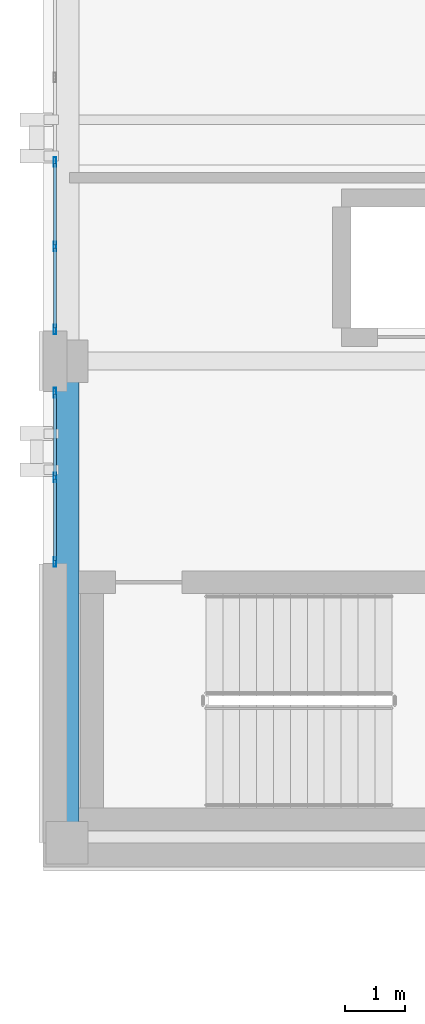
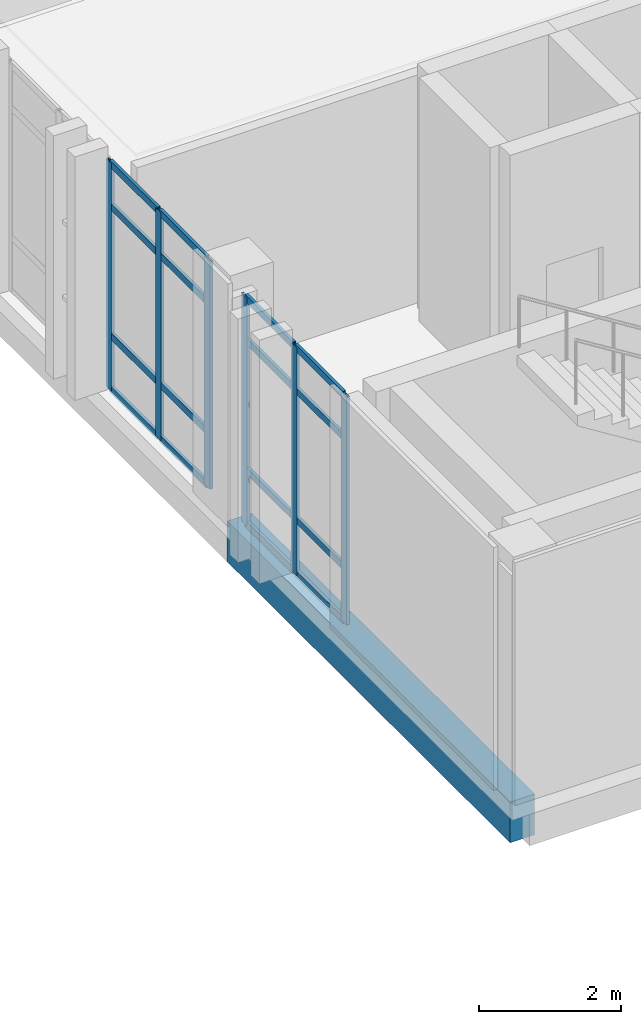
# One storey, part 30 of 158: 22 members, 1 beam, 2 elements without a shape of their own.
"""IFC4 building model written with IfcOpenShell, lengths in metres."""

from ifc_helpers import new_model, si_unit, direction, frame, origin, origin_2d, place, context, subcontext, project, spatial, rectangle, hollow_rectangle, extrude, material, layer, layer_set, material_profile, profile_set, type_object, element, aggregate, save


model = new_model("IFC4")

# Units and contexts
model_context = context("Model", 3, precision=1e-05, world=origin(), true_north=direction((0.0, 1.0)))
body_context = subcontext(model_context, "Body", "Model", "MODEL_VIEW")
ifc_project = project(units=[si_unit("LENGTHUNIT", "METRE"), si_unit("AREAUNIT", "SQUARE_METRE"), si_unit("VOLUMEUNIT", "CUBIC_METRE"), si_unit("PLANEANGLEUNIT", "RADIAN"), si_unit("MASSUNIT", "GRAM", prefix="KILO")], contexts=[model_context])

# Site, building, storey
site_placement = place(None, origin())
site = spatial("IfcSite", under=ifc_project, at=site_placement, CompositionType="ELEMENT")
building_placement = place(site_placement, origin())
building = spatial("IfcBuilding", under=site, at=building_placement, Name="Qalavern Law Courts", CompositionType="ELEMENT")
storey_placement = place(building_placement, frame((0.0, 0.0, 18.60009765625)))
storey = spatial("IfcBuildingStorey", under=building, at=storey_placement, Name="L04", CompositionType="ELEMENT", Elevation=18.60009765625)

# Curtain wall, members
ifc_material_1 = material(Name="Anodised aluminium and insulated glazing", Category="aluminium")
ifc_layer = layer(ifc_material_1, 0.159912109375)
ifc_layer_set = layer_set([ifc_layer], Name="Anodised aluminium and insulated glazing")
curtain_wall_type = type_object("IfcCurtainWallType", Name="ENV-CW-CHAMB", PredefinedType="USERDEFINED", material=ifc_layer_set)
curtain_wall_1_placement = place(storey_placement, origin())
curtain_wall_1 = element("IfcCurtainWall", 1, at=curtain_wall_1_placement, inside=storey, type_object=curtain_wall_type, Name="V3 unitised curtain wall L04 west 6", ObjectType="UNITISED CURTAIN WALL", PredefinedType="USERDEFINED")
ifc_material_2 = material(Name="Anodised aluminium", Category="aluminium")
ifc_material_profile_1 = material_profile(ifc_material_2, hollow_rectangle(XDim=0.048095703125, YDim=0.159912109375, WallThickness=0.00390625, at=origin_2d()), Name="ALU MULLION 48x160")
ifc_profile_set_1 = profile_set([ifc_material_profile_1], Name="Anodised aluminium")
member_type_1 = type_object("IfcMemberType", Name="ENV-CWM-48x160", PredefinedType="MULLION", material=ifc_profile_set_1)
member_1_placement = place(storey_placement, frame((2.199951171875, 52.699951171875, 0.0), z_axis=(0.0, 0.0, 1.0), x_axis=(1.0, 0.0, 0.0)))
member_1 = element("IfcMember", 2, at=member_1_placement, type_object=member_type_1, Name="CW-04 mullion 4", PredefinedType="MULLION", context=body_context, shape_type="SweptSolid", body=[
    extrude(hollow_rectangle(XDim=0.048095703125, YDim=0.159912109375, WallThickness=0.00390625, at=origin_2d()), origin(), (0.0, 0.0, 1.0), 3.9248046875),
])
member_2_placement = place(storey_placement, frame((2.199951171875, 51.300048828125, 0.0), z_axis=(0.0, 0.0, 1.0), x_axis=(1.0, 0.0, 0.0)))
member_2 = element("IfcMember", 3, at=member_2_placement, type_object=member_type_1, Name="CW-04 mullion 5", PredefinedType="MULLION", context=body_context, shape_type="SweptSolid", body=[
    extrude(hollow_rectangle(XDim=0.048095703125, YDim=0.159912109375, WallThickness=0.00390625, at=origin_2d()), origin(), (0.0, 0.0, 1.0), 3.9248046875),
])
member_3_placement = place(storey_placement, frame((2.199951171875, 49.924072265625, 0.0), z_axis=(0.0, 0.0, 1.0), x_axis=(1.0, 0.0, 0.0)))
member_3 = element("IfcMember", 4, at=member_3_placement, type_object=member_type_1, Name="CW-04 mullion 6", PredefinedType="MULLION", context=body_context, shape_type="SweptSolid", body=[
    extrude(hollow_rectangle(XDim=0.048095703125, YDim=0.159912109375, WallThickness=0.00390625, at=origin_2d()), origin(), (0.0, 0.0, 1.0), 3.9248046875),
])

curtain_wall_2_placement = place(storey_placement, origin())
curtain_wall_2 = element("IfcCurtainWall", 5, at=curtain_wall_2_placement, inside=storey, type_object=curtain_wall_type, Name="V3 unitised curtain wall L04 west 7", ObjectType="UNITISED CURTAIN WALL", PredefinedType="USERDEFINED")
member_4_placement = place(storey_placement, frame((2.199951171875, 48.8759765625, 0.0), z_axis=(0.0, 0.0, 1.0), x_axis=(1.0, 0.0, 0.0)))
member_4 = element("IfcMember", 6, at=member_4_placement, type_object=member_type_1, Name="CW-04 mullion 1", PredefinedType="MULLION", context=body_context, shape_type="SweptSolid", body=[
    extrude(hollow_rectangle(XDim=0.048095703125, YDim=0.159912109375, WallThickness=0.00390625, at=origin_2d()), origin(), (0.0, 0.0, 1.0), 3.9248046875),
])
member_5_placement = place(storey_placement, frame((2.199951171875, 47.47509765625, 0.0), z_axis=(0.0, 0.0, 1.0), x_axis=(1.0, 0.0, 0.0)))
member_5 = element("IfcMember", 7, at=member_5_placement, type_object=member_type_1, Name="CW-04 mullion 2", PredefinedType="MULLION", context=body_context, shape_type="SweptSolid", body=[
    extrude(hollow_rectangle(XDim=0.048095703125, YDim=0.159912109375, WallThickness=0.00390625, at=origin_2d()), origin(), (0.0, 0.0, 1.0), 3.9248046875),
])
member_6_placement = place(storey_placement, frame((2.199951171875, 46.073974609375, 0.0), z_axis=(0.0, 0.0, 1.0), x_axis=(1.0, 0.0, 0.0)))
member_6 = element("IfcMember", 8, at=member_6_placement, type_object=member_type_1, Name="CW-04 mullion 3", PredefinedType="MULLION", context=body_context, shape_type="SweptSolid", body=[
    extrude(hollow_rectangle(XDim=0.048095703125, YDim=0.159912109375, WallThickness=0.00390625, at=origin_2d()), origin(), (0.0, 0.0, 1.0), 3.9248046875),
])

# Member
ifc_material_profile_2 = material_profile(ifc_material_2, hollow_rectangle(XDim=0.048095703125, YDim=0.1201171875, WallThickness=0.00390625, at=origin_2d()), Name="ALU TRANSOM 48x120")
ifc_profile_set_2 = profile_set([ifc_material_profile_2], Name="Anodised aluminium")
member_type_2 = type_object("IfcMemberType", Name="ENV-CWT-48x120", PredefinedType="USERDEFINED", material=ifc_profile_set_2)
member_7_placement = place(storey_placement, frame((2.199951171875, 52.676025390625, 0.02392578125), z_axis=(0.0, -1.0, 0.0), x_axis=(1.0, 0.0, 0.0)))
member_7 = element("IfcMember", 9, at=member_7_placement, type_object=member_type_2, Name="CW-04 transom 4.1", ObjectType="TRANSOM", PredefinedType="USERDEFINED", context=body_context, shape_type="SweptSolid", body=[
    extrude(hollow_rectangle(XDim=0.048095703125, YDim=0.1201171875, WallThickness=0.00390625, at=origin_2d()), origin(), (0.0, 0.0, 1.0), 1.35205078125),
])

member_8_placement = place(storey_placement, frame((2.199951171875, 52.676025390625, 0.949951171875), z_axis=(0.0, -1.0, 0.0), x_axis=(1.0, 0.0, 0.0)))
member_8 = element("IfcMember", 10, at=member_8_placement, type_object=member_type_2, Name="CW-04 transom 4.2", ObjectType="TRANSOM", PredefinedType="USERDEFINED", context=body_context, shape_type="SweptSolid", body=[
    extrude(hollow_rectangle(XDim=0.048095703125, YDim=0.1201171875, WallThickness=0.00390625, at=origin_2d()), origin(), (0.0, 0.0, 1.0), 1.35205078125),
])

member_9_placement = place(storey_placement, frame((2.199951171875, 52.676025390625, 3.1748046875), z_axis=(0.0, -1.0, 0.0), x_axis=(1.0, 0.0, 0.0)))
member_9 = element("IfcMember", 11, at=member_9_placement, type_object=member_type_2, Name="CW-04 transom 4.3", ObjectType="TRANSOM", PredefinedType="USERDEFINED", context=body_context, shape_type="SweptSolid", body=[
    extrude(hollow_rectangle(XDim=0.048095703125, YDim=0.1201171875, WallThickness=0.00390625, at=origin_2d()), origin(), (0.0, 0.0, 1.0), 1.35205078125),
])

member_10_placement = place(storey_placement, frame((2.199951171875, 52.676025390625, 3.90087890625), z_axis=(0.0, -1.0, 0.0), x_axis=(1.0, 0.0, 0.0)))
member_10 = element("IfcMember", 12, at=member_10_placement, type_object=member_type_2, Name="CW-04 transom 4.4", ObjectType="TRANSOM", PredefinedType="USERDEFINED", context=body_context, shape_type="SweptSolid", body=[
    extrude(hollow_rectangle(XDim=0.048095703125, YDim=0.1201171875, WallThickness=0.00390625, at=origin_2d()), origin(), (0.0, 0.0, 1.0), 1.35205078125),
])

member_11_placement = place(storey_placement, frame((2.199951171875, 51.27587890625, 0.02392578125), z_axis=(0.0, -1.0, 0.0), x_axis=(1.0, 0.0, 0.0)))
member_11 = element("IfcMember", 13, at=member_11_placement, type_object=member_type_2, Name="CW-04 transom 5.1", ObjectType="TRANSOM", PredefinedType="USERDEFINED", context=body_context, shape_type="SweptSolid", body=[
    extrude(hollow_rectangle(XDim=0.048095703125, YDim=0.1201171875, WallThickness=0.00390625, at=origin_2d()), origin(), (0.0, 0.0, 1.0), 1.327880859375),
])

member_12_placement = place(storey_placement, frame((2.199951171875, 51.27587890625, 0.949951171875), z_axis=(0.0, -1.0, 0.0), x_axis=(1.0, 0.0, 0.0)))
member_12 = element("IfcMember", 14, at=member_12_placement, type_object=member_type_2, Name="CW-04 transom 5.2", ObjectType="TRANSOM", PredefinedType="USERDEFINED", context=body_context, shape_type="SweptSolid", body=[
    extrude(hollow_rectangle(XDim=0.048095703125, YDim=0.1201171875, WallThickness=0.00390625, at=origin_2d()), origin(), (0.0, 0.0, 1.0), 1.327880859375),
])

member_13_placement = place(storey_placement, frame((2.199951171875, 51.27587890625, 3.1748046875), z_axis=(0.0, -1.0, 0.0), x_axis=(1.0, 0.0, 0.0)))
member_13 = element("IfcMember", 15, at=member_13_placement, type_object=member_type_2, Name="CW-04 transom 5.3", ObjectType="TRANSOM", PredefinedType="USERDEFINED", context=body_context, shape_type="SweptSolid", body=[
    extrude(hollow_rectangle(XDim=0.048095703125, YDim=0.1201171875, WallThickness=0.00390625, at=origin_2d()), origin(), (0.0, 0.0, 1.0), 1.327880859375),
])

member_14_placement = place(storey_placement, frame((2.199951171875, 51.27587890625, 3.90087890625), z_axis=(0.0, -1.0, 0.0), x_axis=(1.0, 0.0, 0.0)))
member_14 = element("IfcMember", 16, at=member_14_placement, type_object=member_type_2, Name="CW-04 transom 5.4", ObjectType="TRANSOM", PredefinedType="USERDEFINED", context=body_context, shape_type="SweptSolid", body=[
    extrude(hollow_rectangle(XDim=0.048095703125, YDim=0.1201171875, WallThickness=0.00390625, at=origin_2d()), origin(), (0.0, 0.0, 1.0), 1.327880859375),
])

aggregate(curtain_wall_1, [member_1, member_2, member_3, member_7, member_8, member_9, member_10, member_11, member_12, member_13, member_14])

member_15_placement = place(storey_placement, frame((2.199951171875, 48.85205078125, 0.02392578125), z_axis=(0.0, -1.0, 0.0), x_axis=(1.0, 0.0, 0.0)))
member_15 = element("IfcMember", 17, at=member_15_placement, type_object=member_type_2, Name="CW-04 transom 1.1", ObjectType="TRANSOM", PredefinedType="USERDEFINED", context=body_context, shape_type="SweptSolid", body=[
    extrude(hollow_rectangle(XDim=0.048095703125, YDim=0.1201171875, WallThickness=0.00390625, at=origin_2d()), origin(), (0.0, 0.0, 1.0), 1.35302734375),
])

member_16_placement = place(storey_placement, frame((2.199951171875, 48.85205078125, 0.949951171875), z_axis=(0.0, -1.0, 0.0), x_axis=(1.0, 0.0, 0.0)))
member_16 = element("IfcMember", 18, at=member_16_placement, type_object=member_type_2, Name="CW-04 transom 1.2", ObjectType="TRANSOM", PredefinedType="USERDEFINED", context=body_context, shape_type="SweptSolid", body=[
    extrude(hollow_rectangle(XDim=0.048095703125, YDim=0.1201171875, WallThickness=0.00390625, at=origin_2d()), origin(), (0.0, 0.0, 1.0), 1.35302734375),
])

member_17_placement = place(storey_placement, frame((2.199951171875, 48.85205078125, 3.1748046875), z_axis=(0.0, -1.0, 0.0), x_axis=(1.0, 0.0, 0.0)))
member_17 = element("IfcMember", 19, at=member_17_placement, type_object=member_type_2, Name="CW-04 transom 1.3", ObjectType="TRANSOM", PredefinedType="USERDEFINED", context=body_context, shape_type="SweptSolid", body=[
    extrude(hollow_rectangle(XDim=0.048095703125, YDim=0.1201171875, WallThickness=0.00390625, at=origin_2d()), origin(), (0.0, 0.0, 1.0), 1.35302734375),
])

member_18_placement = place(storey_placement, frame((2.199951171875, 48.85205078125, 3.90087890625), z_axis=(0.0, -1.0, 0.0), x_axis=(1.0, 0.0, 0.0)))
member_18 = element("IfcMember", 20, at=member_18_placement, type_object=member_type_2, Name="CW-04 transom 1.4", ObjectType="TRANSOM", PredefinedType="USERDEFINED", context=body_context, shape_type="SweptSolid", body=[
    extrude(hollow_rectangle(XDim=0.048095703125, YDim=0.1201171875, WallThickness=0.00390625, at=origin_2d()), origin(), (0.0, 0.0, 1.0), 1.35302734375),
])

member_19_placement = place(storey_placement, frame((2.199951171875, 47.450927734375, 0.02392578125), z_axis=(0.0, -1.0, 0.0), x_axis=(1.0, 0.0, 0.0)))
member_19 = element("IfcMember", 21, at=member_19_placement, type_object=member_type_2, Name="CW-04 transom 2.1", ObjectType="TRANSOM", PredefinedType="USERDEFINED", context=body_context, shape_type="SweptSolid", body=[
    extrude(hollow_rectangle(XDim=0.048095703125, YDim=0.1201171875, WallThickness=0.00390625, at=origin_2d()), origin(), (0.0, 0.0, 1.0), 1.35302734375),
])

member_20_placement = place(storey_placement, frame((2.199951171875, 47.450927734375, 0.949951171875), z_axis=(0.0, -1.0, 0.0), x_axis=(1.0, 0.0, 0.0)))
member_20 = element("IfcMember", 22, at=member_20_placement, type_object=member_type_2, Name="CW-04 transom 2.2", ObjectType="TRANSOM", PredefinedType="USERDEFINED", context=body_context, shape_type="SweptSolid", body=[
    extrude(hollow_rectangle(XDim=0.048095703125, YDim=0.1201171875, WallThickness=0.00390625, at=origin_2d()), origin(), (0.0, 0.0, 1.0), 1.35302734375),
])

member_21_placement = place(storey_placement, frame((2.199951171875, 47.450927734375, 3.1748046875), z_axis=(0.0, -1.0, 0.0), x_axis=(1.0, 0.0, 0.0)))
member_21 = element("IfcMember", 23, at=member_21_placement, type_object=member_type_2, Name="CW-04 transom 2.3", ObjectType="TRANSOM", PredefinedType="USERDEFINED", context=body_context, shape_type="SweptSolid", body=[
    extrude(hollow_rectangle(XDim=0.048095703125, YDim=0.1201171875, WallThickness=0.00390625, at=origin_2d()), origin(), (0.0, 0.0, 1.0), 1.35302734375),
])

member_22_placement = place(storey_placement, frame((2.199951171875, 47.450927734375, 3.90087890625), z_axis=(0.0, -1.0, 0.0), x_axis=(1.0, 0.0, 0.0)))
member_22 = element("IfcMember", 24, at=member_22_placement, type_object=member_type_2, Name="CW-04 transom 2.4", ObjectType="TRANSOM", PredefinedType="USERDEFINED", context=body_context, shape_type="SweptSolid", body=[
    extrude(hollow_rectangle(XDim=0.048095703125, YDim=0.1201171875, WallThickness=0.00390625, at=origin_2d()), origin(), (0.0, 0.0, 1.0), 1.35302734375),
])

aggregate(curtain_wall_2, [member_4, member_5, member_6, member_15, member_16, member_17, member_18, member_19, member_20, member_21, member_22])

# Beam
ifc_material_3 = material(Name="Concrete C40/50", Category="concrete")
ifc_material_profile_3 = material_profile(ifc_material_3, rectangle(XDim=0.39990234375, YDim=0.699951171875, at=origin_2d()), Name="RC 400x700")
ifc_profile_set_3 = profile_set([ifc_material_profile_3], Name="Concrete C40/50")
beam_type = type_object("IfcBeamType", Name="STR-SP-RC400x700", PredefinedType="SPANDREL", material=ifc_profile_set_3)
beam_placement = place(storey_placement, frame((2.39990234375, 41.419921875, -0.630126953125), z_axis=(0.0, 1.0, 0.0), x_axis=(-1.0, 0.0, 0.0)))
element("IfcBeam", 25, at=beam_placement, inside=storey, type_object=beam_type, Name="V3 Y-beam 1-1 L04", PredefinedType="SPANDREL", context=body_context, shape_type="SweptSolid", body=[
    extrude(rectangle(XDim=0.39990234375, YDim=0.699951171875, at=origin_2d()), origin(), (0.0, 0.0, 1.0), 7.97998046875),
])

save(model, "model.ifc")
